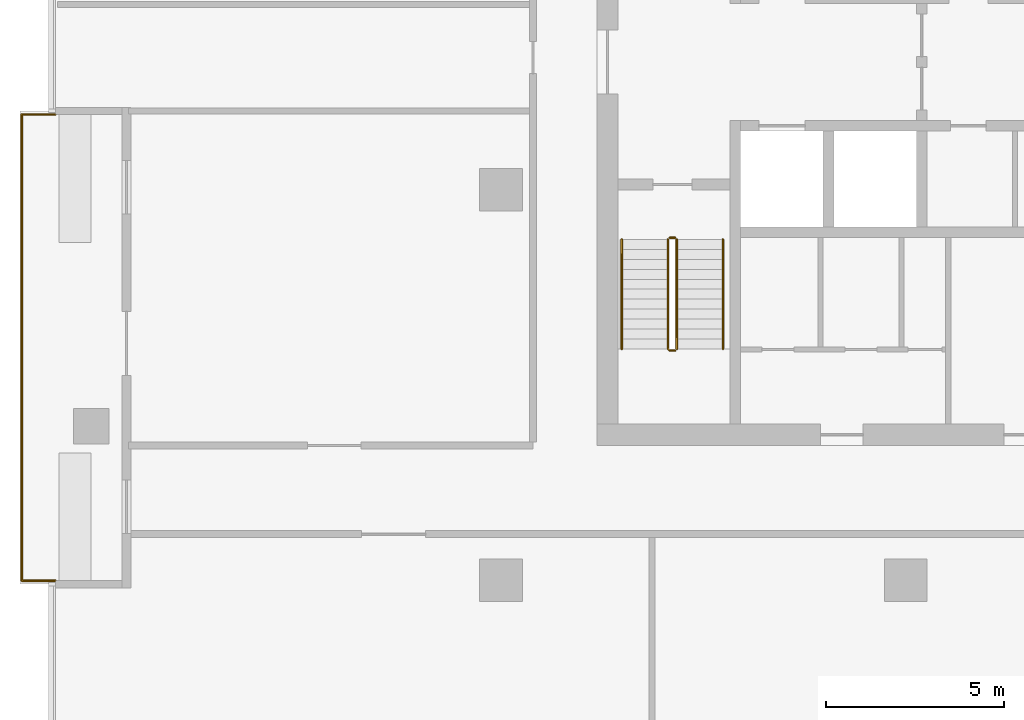
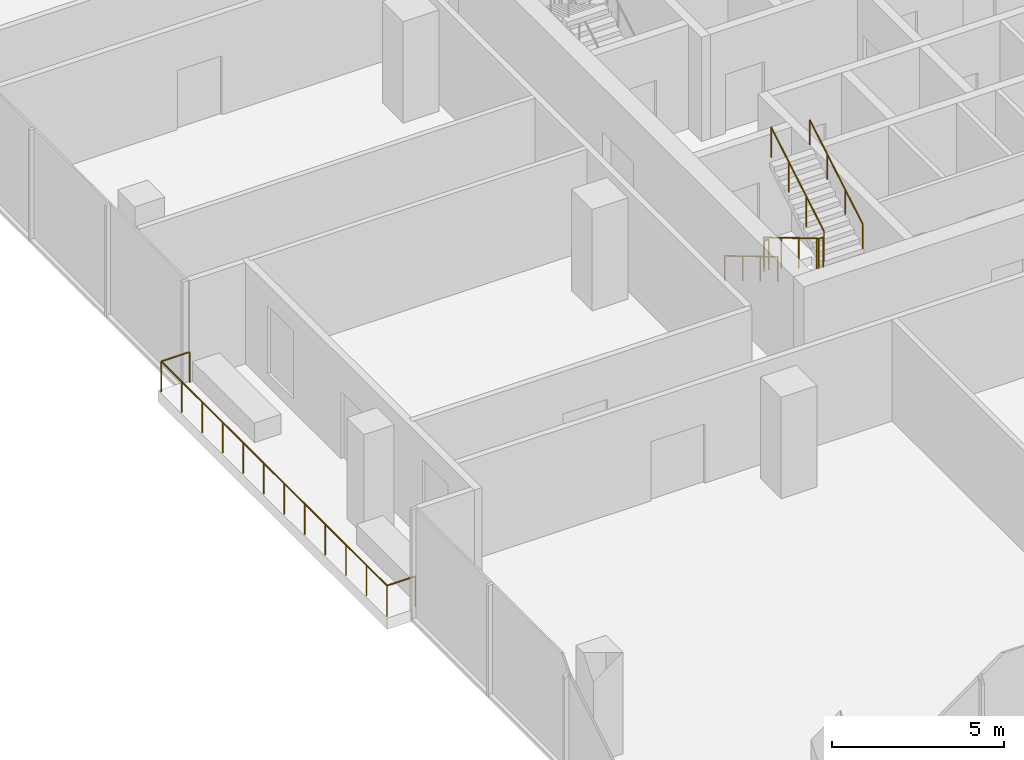
# One storey, part 11 of 13: 6 railings.
"""IFC4 building model written with IfcOpenShell, lengths in metres."""

from ifc_helpers import new_model, si_unit, direction, frame, origin, origin_2d, place, context, subcontext, project, spatial, circle, extrude, material, type_object, element, save


model = new_model("IFC4")

# Units and contexts
model_context = context("Model", 3, precision=1e-05, world=origin(), true_north=direction((0.0, 1.0)))
body_context = subcontext(model_context, "Body", "Model", "MODEL_VIEW")
ifc_project = project(units=[si_unit("LENGTHUNIT", "METRE"), si_unit("AREAUNIT", "SQUARE_METRE"), si_unit("VOLUMEUNIT", "CUBIC_METRE"), si_unit("PLANEANGLEUNIT", "RADIAN"), si_unit("MASSUNIT", "GRAM", prefix="KILO")], contexts=[model_context])

# Site, building, storey
site_placement = place(None, origin())
site = spatial("IfcSite", under=ifc_project, at=site_placement, CompositionType="ELEMENT")
building_placement = place(site_placement, origin())
building = spatial("IfcBuilding", under=site, at=building_placement, Name="Mopane Tessera Tower", CompositionType="ELEMENT")
storey_placement = place(building_placement, frame((0.0, 0.0, 287.39990234375)))
storey = spatial("IfcBuildingStorey", under=building, at=storey_placement, Name="L62", CompositionType="ELEMENT", Elevation=287.39990234375)

# Railings
ifc_material_1 = material(Name="Powder-coated steel balustrade", Category="steel")
railing_type_1 = type_object("IfcRailingType", Name="Escape stair guard 1100 mm", PredefinedType="GUARDRAIL", material=ifc_material_1)
railing_1_placement = place(storey_placement, frame((-12.39990234375, -1.39990234375, 0.166748046875)))
element("IfcRailing", 1, at=railing_1_placement, inside=storey, type_object=railing_type_1, Name="L62 ST1 stair guard 1", PredefinedType="GUARDRAIL", context=body_context, shape_type="SweptSolid", body=[
    extrude(circle(Radius=0.02392578125, at=origin_2d()), frame((0.0, 0.0, 1.076171875), z_axis=(0.0, -0.859308565015, 0.511457515432), x_axis=(1.0, 0.0, 0.0)), (0.0, 0.0, 1.0), 3.58447265625),
    extrude(circle(Radius=0.02392578125, at=origin_2d()), frame((0.0, -3.080078125, 2.9091796875), z_axis=(0.705375805398, -0.708833529934, 0.0), x_axis=(0.708833529934, 0.705375805398, 0.0)), (0.0, 0.0, 1.0), 0.070556640625),
    extrude(circle(Radius=0.02392578125, at=origin_2d()), frame((0.0498046875, -3.130126953125, 2.9091796875), z_axis=(1.0, 0.0, 0.0), x_axis=(0.0, 1.0, 0.0)), (0.0, 0.0, 1.0), 0.150146484375),
    extrude(circle(Radius=0.02099609375, at=origin_2d()), origin(), (0.0, 0.0, 1.0), 1.052001953125),
    extrude(circle(Radius=0.02099609375, at=origin_2d()), frame((0.0, -1.026611328125, 0.611083984375)), (0.0, 0.0, 1.0), 1.052001953125),
    extrude(circle(Radius=0.02099609375, at=origin_2d()), frame((0.0, -2.053466796875, 1.22216796875)), (0.0, 0.0, 1.0), 1.052001953125),
    extrude(circle(Radius=0.02099609375, at=origin_2d()), frame((0.0, -3.080078125, 1.833251953125)), (0.0, 0.0, 1.0), 1.052001953125),
    extrude(circle(Radius=0.02099609375, at=origin_2d()), frame((0.0498046875, -3.130126953125, 1.833251953125)), (0.0, 0.0, 1.0), 1.052001953125),
    extrude(circle(Radius=0.02099609375, at=origin_2d()), frame((0.199951171875, -3.130126953125, 1.833251953125)), (0.0, 0.0, 1.0), 1.052001953125),
])
railing_2_placement = place(storey_placement, frame((-12.14990234375, -4.47998046875, 2.166748046875)))
element("IfcRailing", 2, at=railing_2_placement, inside=storey, type_object=railing_type_1, Name="L62 ST1 stair guard 2", PredefinedType="GUARDRAIL", context=body_context, shape_type="SweptSolid", body=[
    extrude(circle(Radius=0.02392578125, at=origin_2d()), frame((0.0, 0.0, 1.076171875), z_axis=(0.0, 0.859308565015, 0.511457515432), x_axis=(-1.0, 0.0, 0.0)), (0.0, 0.0, 1.0), 3.58447265625),
    extrude(circle(Radius=0.02099609375, at=origin_2d()), origin(), (0.0, 0.0, 1.0), 1.052001953125),
    extrude(circle(Radius=0.02099609375, at=origin_2d()), frame((0.0, 1.026611328125, 0.611083984375)), (0.0, 0.0, 1.0), 1.052001953125),
    extrude(circle(Radius=0.02099609375, at=origin_2d()), frame((0.0, 2.053466796875, 1.22216796875)), (0.0, 0.0, 1.0), 1.052001953125),
    extrude(circle(Radius=0.02099609375, at=origin_2d()), frame((0.0, 3.080078125, 1.833251953125)), (0.0, 0.0, 1.0), 1.052001953125),
])
railing_3_placement = place(storey_placement, frame((-12.35009765625, -1.35009765625, 0.0)))
element("IfcRailing", 3, at=railing_3_placement, inside=storey, type_object=railing_type_1, Name="L62 ST1 stair guard 3", PredefinedType="GUARDRAIL", context=body_context, shape_type="SweptSolid", body=[
    extrude(circle(Radius=0.02392578125, at=origin_2d()), frame((0.0, 0.0, 1.076171875), z_axis=(1.0, 0.0, 0.0), x_axis=(0.0, 1.0, 0.0)), (0.0, 0.0, 1.0), 0.150146484375),
    extrude(circle(Radius=0.02099609375, at=origin_2d()), origin(), (0.0, 0.0, 1.0), 1.052001953125),
    extrude(circle(Radius=0.02099609375, at=origin_2d()), frame((0.150146484375, 0.0, 0.0)), (0.0, 0.0, 1.0), 1.052001953125),
])
ifc_material_2 = material(Name="Powder-coated steel balustrade", Category="steel")
railing_type_2 = type_object("IfcRailingType", Name="Escape stair handrail 900 mm", PredefinedType="HANDRAIL", material=ifc_material_2)
railing_4_placement = place(storey_placement, frame((-13.699951171875, -1.39990234375, 0.166748046875)))
element("IfcRailing", 4, at=railing_4_placement, inside=storey, type_object=railing_type_2, Name="L62 ST1 stair handrail 1", PredefinedType="HANDRAIL", context=body_context, shape_type="SweptSolid", body=[
    extrude(circle(Radius=0.02392578125, at=origin_2d()), frame((0.0, 0.0, 0.8759765625), z_axis=(0.0, -0.859308565015, 0.511457515432), x_axis=(1.0, 0.0, 0.0)), (0.0, 0.0, 1.0), 3.58447265625),
    extrude(circle(Radius=0.02099609375, at=origin_2d()), origin(), (0.0, 0.0, 1.0), 0.851806640625),
    extrude(circle(Radius=0.02099609375, at=origin_2d()), frame((0.0, -1.026611328125, 0.611083984375)), (0.0, 0.0, 1.0), 0.851806640625),
    extrude(circle(Radius=0.02099609375, at=origin_2d()), frame((0.0, -2.053466796875, 1.22216796875)), (0.0, 0.0, 1.0), 0.851806640625),
    extrude(circle(Radius=0.02099609375, at=origin_2d()), frame((0.0, -3.080078125, 1.833251953125)), (0.0, 0.0, 1.0), 0.851806640625),
])
railing_5_placement = place(storey_placement, frame((-10.85009765625, -4.47998046875, 2.166748046875)))
element("IfcRailing", 5, at=railing_5_placement, inside=storey, type_object=railing_type_2, Name="L62 ST1 stair handrail 2", PredefinedType="HANDRAIL", context=body_context, shape_type="SweptSolid", body=[
    extrude(circle(Radius=0.02392578125, at=origin_2d()), frame((0.0, 0.0, 0.8759765625), z_axis=(0.0, 0.859308565015, 0.511457515432), x_axis=(-1.0, 0.0, 0.0)), (0.0, 0.0, 1.0), 3.58447265625),
    extrude(circle(Radius=0.02099609375, at=origin_2d()), origin(), (0.0, 0.0, 1.0), 0.851806640625),
    extrude(circle(Radius=0.02099609375, at=origin_2d()), frame((0.0, 1.026611328125, 0.611083984375)), (0.0, 0.0, 1.0), 0.851806640625),
    extrude(circle(Radius=0.02099609375, at=origin_2d()), frame((0.0, 2.053466796875, 1.22216796875)), (0.0, 0.0, 1.0), 0.851806640625),
    extrude(circle(Radius=0.02099609375, at=origin_2d()), frame((0.0, 3.080078125, 1.833251953125)), (0.0, 0.0, 1.0), 0.851806640625),
])
ifc_material_3 = material(Name="Stainless steel S316", Category="steel")
railing_type_3 = type_object("IfcRailingType", Name="Terrace guard 1100", PredefinedType="GUARDRAIL", material=ifc_material_3)
railing_6_placement = place(storey_placement, frame((-29.64990234375, 2.122314453125, 0.0)))
element("IfcRailing", 6, at=railing_6_placement, inside=storey, type_object=railing_type_3, Name="e:nw:L62:N3:guard", PredefinedType="GUARDRAIL", context=body_context, shape_type="SweptSolid", body=[
    extrude(circle(Radius=0.02392578125, at=origin_2d()), frame((0.0, 0.0, 1.076171875), z_axis=(-1.0, 0.0, 0.0), x_axis=(0.0, -1.0, 0.0)), (0.0, 0.0, 1.0), 0.9501953125),
    extrude(circle(Radius=0.02392578125, at=origin_2d()), frame((-0.9501953125, 0.0, 1.076171875), z_axis=(0.0, -1.0, 0.0), x_axis=(1.0, 0.0, 0.0)), (0.0, 0.0, 1.0), 13.133544921875),
    extrude(circle(Radius=0.02392578125, at=origin_2d()), frame((-0.9501953125, -13.133544921875, 1.076171875), z_axis=(1.0, 0.0, 0.0), x_axis=(0.0, 1.0, 0.0)), (0.0, 0.0, 1.0), 0.9501953125),
    extrude(circle(Radius=0.02099609375, at=origin_2d()), origin(), (0.0, 0.0, 1.0), 1.052001953125),
    extrude(circle(Radius=0.02099609375, at=origin_2d()), frame((-0.9501953125, 0.0, 0.0)), (0.0, 0.0, 1.0), 1.052001953125),
    extrude(circle(Radius=0.02099609375, at=origin_2d()), frame((-0.9501953125, -1.19384765625, 0.0)), (0.0, 0.0, 1.0), 1.052001953125),
    extrude(circle(Radius=0.02099609375, at=origin_2d()), frame((-0.9501953125, -2.387939453125, 0.0)), (0.0, 0.0, 1.0), 1.052001953125),
    extrude(circle(Radius=0.02099609375, at=origin_2d()), frame((-0.9501953125, -3.581787109375, 0.0)), (0.0, 0.0, 1.0), 1.052001953125),
    extrude(circle(Radius=0.02099609375, at=origin_2d()), frame((-0.9501953125, -4.77587890625, 0.0)), (0.0, 0.0, 1.0), 1.052001953125),
    extrude(circle(Radius=0.02099609375, at=origin_2d()), frame((-0.9501953125, -5.9697265625, 0.0)), (0.0, 0.0, 1.0), 1.052001953125),
    extrude(circle(Radius=0.02099609375, at=origin_2d()), frame((-0.9501953125, -7.163818359375, 0.0)), (0.0, 0.0, 1.0), 1.052001953125),
    extrude(circle(Radius=0.02099609375, at=origin_2d()), frame((-0.9501953125, -8.357666015625, 0.0)), (0.0, 0.0, 1.0), 1.052001953125),
    extrude(circle(Radius=0.02099609375, at=origin_2d()), frame((-0.9501953125, -9.5517578125, 0.0)), (0.0, 0.0, 1.0), 1.052001953125),
    extrude(circle(Radius=0.02099609375, at=origin_2d()), frame((-0.9501953125, -10.74560546875, 0.0)), (0.0, 0.0, 1.0), 1.052001953125),
    extrude(circle(Radius=0.02099609375, at=origin_2d()), frame((-0.9501953125, -11.939697265625, 0.0)), (0.0, 0.0, 1.0), 1.052001953125),
    extrude(circle(Radius=0.02099609375, at=origin_2d()), frame((-0.9501953125, -13.133544921875, 0.0)), (0.0, 0.0, 1.0), 1.052001953125),
    extrude(circle(Radius=0.02099609375, at=origin_2d()), frame((0.0, -13.133544921875, 0.0)), (0.0, 0.0, 1.0), 1.052001953125),
])

save(model, "model.ifc")
